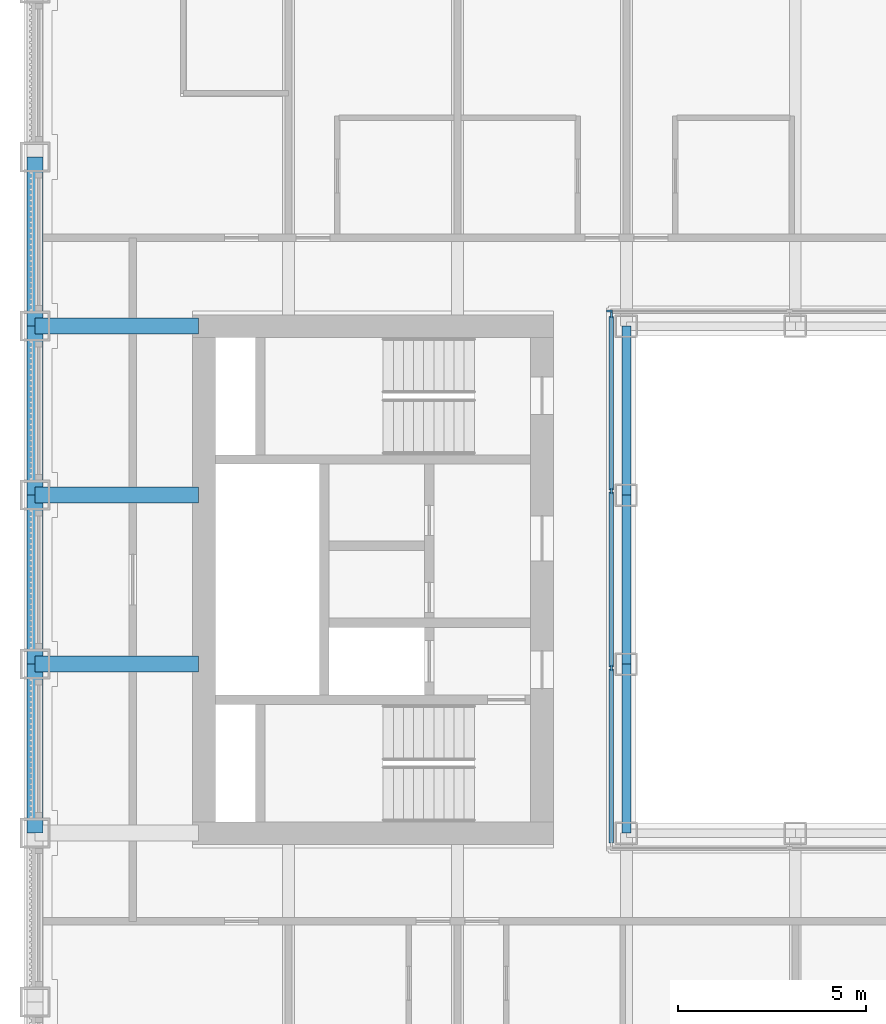
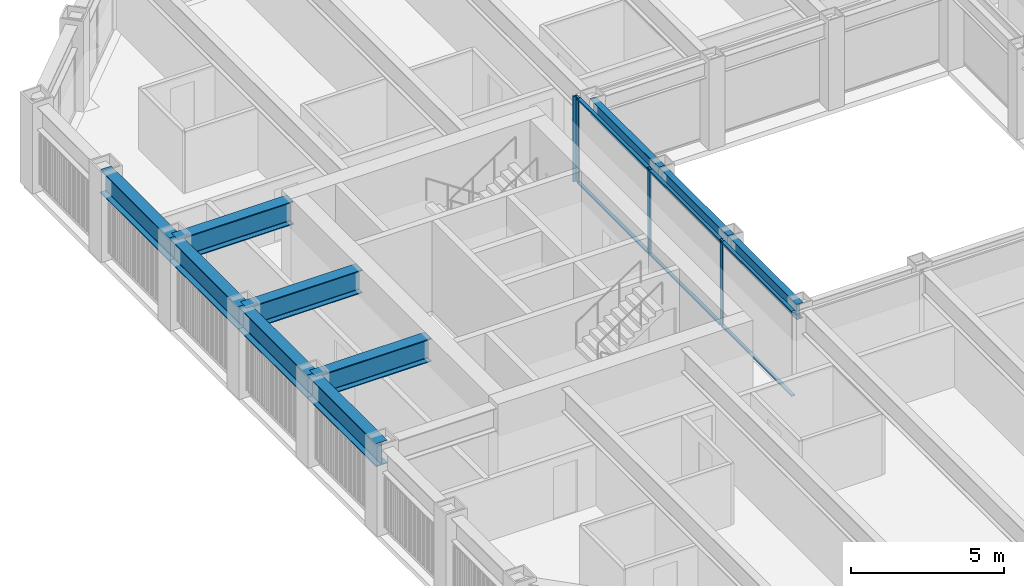
# One storey, part 4 of 17: 10 beams, 10 members, 2 elements without a shape of their own.
"""IFC4 building model written with IfcOpenShell, lengths in metres."""

from ifc_helpers import new_model, si_unit, direction, frame, origin, origin_2d, place, context, subcontext, project, spatial, rectangle, i_section, extrude, material, material_profile, profile_set, type_object, element, aggregate, save


model = new_model("IFC4")

# Units and contexts
model_context = context("Model", 3, precision=1e-05, world=origin(), true_north=direction((0.0, 1.0)))
body_context = subcontext(model_context, "Body", "Model", "MODEL_VIEW")
ifc_project = project(units=[si_unit("LENGTHUNIT", "METRE"), si_unit("AREAUNIT", "SQUARE_METRE"), si_unit("VOLUMEUNIT", "CUBIC_METRE"), si_unit("PLANEANGLEUNIT", "RADIAN"), si_unit("MASSUNIT", "GRAM", prefix="KILO")], contexts=[model_context])

# Site, building, storey
site_placement = place(None, origin())
site = spatial("IfcSite", under=ifc_project, at=site_placement, CompositionType="ELEMENT")
building_placement = place(site_placement, origin())
building = spatial("IfcBuilding", under=site, at=building_placement, Name="Msasa Ring Tower", CompositionType="ELEMENT")
storey_placement = place(building_placement, frame((0.0, 0.0, 129.199951171875)))
storey = spatial("IfcBuildingStorey", under=building, at=storey_placement, Name="L33", CompositionType="ELEMENT", Elevation=129.199951171875)

# Curtain wall, member
ifc_material_1 = material(Name="Aluminium curtain wall with clear glass", Category="aluminium")
curtain_wall_type = type_object("IfcCurtainWallType", Name="CW-W LIGHT WELL CURTAIN WALL", PredefinedType="NOTDEFINED", material=ifc_material_1)
curtain_wall_1_placement = place(storey_placement, origin())
curtain_wall_1 = element("IfcCurtainWall", 1, at=curtain_wall_1_placement, inside=storey, type_object=curtain_wall_type, Name="Light well curtain wall N L33", PredefinedType="NOTDEFINED")
ifc_material_2 = material(Name="Aluminium mullion", Category="aluminium")
ifc_material_profile_1 = material_profile(ifc_material_2, rectangle(XDim=0.06005859375, YDim=0.159912109375, at=origin_2d()), Name="AL 60x160")
ifc_profile_set_1 = profile_set([ifc_material_profile_1], Name="Aluminium mullion")
member_type_1 = type_object("IfcMemberType", Name="CW-W MULLION 60x160", PredefinedType="MULLION", material=ifc_profile_set_1)
member_1_placement = place(storey_placement, frame((-7.199951171875, 7.14990234375, 0.0), z_axis=(0.0, 0.0, 1.0), x_axis=(0.0, 1.0, 0.0)))
member_1 = element("IfcMember", 2, at=member_1_placement, type_object=member_type_1, Name="CW-W mullion 1", PredefinedType="MULLION", context=body_context, shape_type="SweptSolid", body=[
    extrude(rectangle(XDim=0.06005859375, YDim=0.159912109375, at=origin_2d()), origin(), (0.0, 0.0, 1.0), 3.400146484375),
])
aggregate(curtain_wall_1, [member_1])

# Curtain wall, members
curtain_wall_2_placement = place(storey_placement, origin())
curtain_wall_2 = element("IfcCurtainWall", 3, at=curtain_wall_2_placement, inside=storey, type_object=curtain_wall_type, Name="Light well curtain wall W L33", PredefinedType="NOTDEFINED")
member_2_placement = place(storey_placement, frame((-7.14990234375, -2.356689453125, 0.0), z_axis=(0.0, 0.0, 1.0), x_axis=(-1.0, 0.0, 0.0)))
member_2 = element("IfcMember", 4, at=member_2_placement, type_object=member_type_1, Name="CW-W mullion 2", PredefinedType="MULLION", context=body_context, shape_type="SweptSolid", body=[
    extrude(rectangle(XDim=0.06005859375, YDim=0.159912109375, at=origin_2d()), origin(), (0.0, 0.0, 1.0), 3.400146484375),
])
member_3_placement = place(storey_placement, frame((-7.14990234375, 2.356689453125, 0.0), z_axis=(0.0, 0.0, 1.0), x_axis=(-1.0, 0.0, 0.0)))
member_3 = element("IfcMember", 5, at=member_3_placement, type_object=member_type_1, Name="CW-W mullion 3", PredefinedType="MULLION", context=body_context, shape_type="SweptSolid", body=[
    extrude(rectangle(XDim=0.06005859375, YDim=0.159912109375, at=origin_2d()), origin(), (0.0, 0.0, 1.0), 3.400146484375),
])
member_4_placement = place(storey_placement, frame((-7.14990234375, 7.0400390625, 0.0), z_axis=(0.0, 0.0, 1.0), x_axis=(-1.0, 0.0, 0.0)))
member_4 = element("IfcMember", 6, at=member_4_placement, type_object=member_type_1, Name="CW-W mullion 4", PredefinedType="MULLION", context=body_context, shape_type="SweptSolid", body=[
    extrude(rectangle(XDim=0.06005859375, YDim=0.159912109375, at=origin_2d()), origin(), (0.0, 0.0, 1.0), 3.400146484375),
])
ifc_material_3 = material(Name="Aluminium transom", Category="aluminium")
ifc_material_profile_2 = material_profile(ifc_material_3, rectangle(XDim=0.1201171875, YDim=0.06005859375, at=origin_2d()), Name="AL 60x120")
ifc_profile_set_2 = profile_set([ifc_material_profile_2], Name="Aluminium transom")
member_type_2 = type_object("IfcMemberType", Name="CW-W TRANSOM 60x120", PredefinedType="USERDEFINED", material=ifc_profile_set_2)
member_5_placement = place(storey_placement, frame((-7.14990234375, -7.010009765625, 0.030029296875), z_axis=(0.0, 1.0, 0.0), x_axis=(-1.0, 0.0, 0.0)))
member_5 = element("IfcMember", 7, at=member_5_placement, type_object=member_type_2, Name="CW-W transom 1.1", ObjectType="TRANSOM", PredefinedType="USERDEFINED", context=body_context, shape_type="SweptSolid", body=[
    extrude(rectangle(XDim=0.1201171875, YDim=0.06005859375, at=origin_2d()), origin(), (0.0, 0.0, 1.0), 4.623291015625),
])
member_6_placement = place(storey_placement, frame((-7.14990234375, -7.010009765625, 3.3701171875), z_axis=(0.0, 1.0, 0.0), x_axis=(-1.0, 0.0, 0.0)))
member_6 = element("IfcMember", 8, at=member_6_placement, type_object=member_type_2, Name="CW-W transom 1.2", ObjectType="TRANSOM", PredefinedType="USERDEFINED", context=body_context, shape_type="SweptSolid", body=[
    extrude(rectangle(XDim=0.1201171875, YDim=0.06005859375, at=origin_2d()), origin(), (0.0, 0.0, 1.0), 4.623291015625),
])
member_7_placement = place(storey_placement, frame((-7.14990234375, -2.32666015625, 0.030029296875), z_axis=(0.0, 1.0, 0.0), x_axis=(-1.0, 0.0, 0.0)))
member_7 = element("IfcMember", 9, at=member_7_placement, type_object=member_type_2, Name="CW-W transom 2.1", ObjectType="TRANSOM", PredefinedType="USERDEFINED", context=body_context, shape_type="SweptSolid", body=[
    extrude(rectangle(XDim=0.1201171875, YDim=0.06005859375, at=origin_2d()), origin(), (0.0, 0.0, 1.0), 4.6533203125),
])
member_8_placement = place(storey_placement, frame((-7.14990234375, -2.32666015625, 3.3701171875), z_axis=(0.0, 1.0, 0.0), x_axis=(-1.0, 0.0, 0.0)))
member_8 = element("IfcMember", 10, at=member_8_placement, type_object=member_type_2, Name="CW-W transom 2.2", ObjectType="TRANSOM", PredefinedType="USERDEFINED", context=body_context, shape_type="SweptSolid", body=[
    extrude(rectangle(XDim=0.1201171875, YDim=0.06005859375, at=origin_2d()), origin(), (0.0, 0.0, 1.0), 4.6533203125),
])
member_9_placement = place(storey_placement, frame((-7.14990234375, 2.38671875, 0.030029296875), z_axis=(0.0, 1.0, 0.0), x_axis=(-1.0, 0.0, 0.0)))
member_9 = element("IfcMember", 11, at=member_9_placement, type_object=member_type_2, Name="CW-W transom 3.1", ObjectType="TRANSOM", PredefinedType="USERDEFINED", context=body_context, shape_type="SweptSolid", body=[
    extrude(rectangle(XDim=0.1201171875, YDim=0.06005859375, at=origin_2d()), origin(), (0.0, 0.0, 1.0), 4.623291015625),
])
member_10_placement = place(storey_placement, frame((-7.14990234375, 2.38671875, 3.3701171875), z_axis=(0.0, 1.0, 0.0), x_axis=(-1.0, 0.0, 0.0)))
member_10 = element("IfcMember", 12, at=member_10_placement, type_object=member_type_2, Name="CW-W transom 3.2", ObjectType="TRANSOM", PredefinedType="USERDEFINED", context=body_context, shape_type="SweptSolid", body=[
    extrude(rectangle(XDim=0.1201171875, YDim=0.06005859375, at=origin_2d()), origin(), (0.0, 0.0, 1.0), 4.623291015625),
])
aggregate(curtain_wall_2, [member_2, member_3, member_4, member_5, member_6, member_7, member_8, member_9, member_10])

# Beams
ifc_material_4 = material(Name="Steel S355", Category="steel")
ifc_material_profile_3 = material_profile(ifc_material_4, i_section(OverallWidth=0.42041015625, OverallDepth=0.9208984375, WebThickness=0.021484375, FlangeThickness=0.03662109375, FilletRadius=0.024169921875, at=origin_2d()), Name="UB 914x419x388")
ifc_profile_set_3 = profile_set([ifc_material_profile_3], Name="Steel S355")
beam_type_1 = type_object("IfcBeamType", Name="FB2 UB 914x419x388", PredefinedType="BEAM", material=ifc_profile_set_3)
for number, where, z_axis, x_axis, name in (
    (13, (-22.5, -2.25, 2.939453125), (1.0, 0.0, 0.0), (0.0, 1.0, 0.0), "Floor beam W -2.25 under L34"),
    (14, (-22.5, 2.25, 2.939453125), (1.0, 0.0, 0.0), (0.0, 1.0, 0.0), "Floor beam W +2.25 under L34"),
):
    element("IfcBeam", number, at=place(storey_placement, frame(where, z_axis=z_axis, x_axis=x_axis)), inside=storey, type_object=beam_type_1, Name=name, PredefinedType="BEAM", context=body_context, shape_type="SweptSolid", body=[
        extrude(i_section(OverallWidth=0.42041015625, OverallDepth=0.9208984375, WebThickness=0.021484375, FlangeThickness=0.03662109375, FilletRadius=0.024169921875, at=origin_2d()), origin(), (0.0, 0.0, 1.0), 4.35009765625),
    ])
ifc_material_5 = material(Name="Steel S355", Category="steel")
ifc_material_profile_4 = material_profile(ifc_material_5, i_section(OverallWidth=0.42041015625, OverallDepth=0.9208984375, WebThickness=0.021484375, FlangeThickness=0.03662109375, FilletRadius=0.024169921875, at=origin_2d()), Name="UB 914x419x388")
ifc_profile_set_4 = profile_set([ifc_material_profile_4], Name="Steel S355")
beam_type_2 = type_object("IfcBeamType", Name="GB1 UB 914x419x388", PredefinedType="BEAM", material=ifc_profile_set_4)
beam_placement = place(storey_placement, frame((-18.14990234375, 6.75, 2.939453125), z_axis=(-1.0, 0.0, 0.0), x_axis=(0.0, -1.0, 0.0)))
element("IfcBeam", 15, at=beam_placement, inside=storey, type_object=beam_type_2, Name="Girder W +6.75 under L34", PredefinedType="BEAM", context=body_context, shape_type="SweptSolid", body=[
    extrude(i_section(OverallWidth=0.42041015625, OverallDepth=0.9208984375, WebThickness=0.021484375, FlangeThickness=0.03662109375, FilletRadius=0.024169921875, at=origin_2d()), origin(), (0.0, 0.0, 1.0), 4.35009765625),
])
ifc_material_6 = material(Name="Steel S355", Category="steel")
ifc_material_profile_5 = material_profile(ifc_material_6, i_section(OverallWidth=0.230224609375, OverallDepth=0.6171875, WebThickness=0.01318359375, FlangeThickness=0.022216796875, FilletRadius=0.0126953125, at=origin_2d()), Name="UB 610x229x140")
ifc_profile_set_5 = profile_set([ifc_material_profile_5], Name="Steel S355")
beam_type_3 = type_object("IfcBeamType", Name="RB1 UB 610x229x140", PredefinedType="BEAM", material=ifc_profile_set_5)
for number, where, z_axis, x_axis, name in (
    (16, (-6.75, -2.25, 3.091552734375), (0.0, -1.0, 0.0), (1.0, 0.0, 0.0), "Inner ring beam IR-6.75-2.25 under L34"),
    (17, (-6.75, 6.75, 3.091552734375), (0.0, -1.0, 0.0), (1.0, 0.0, 0.0), "Inner ring beam IR-6.75+6.75 under L34"),
    (18, (-6.75, 2.25, 3.091552734375), (0.0, -1.0, 0.0), (1.0, 0.0, 0.0), "Inner ring beam IR-6.75+2.25 under L34"),
):
    element("IfcBeam", number, at=place(storey_placement, frame(where, z_axis=z_axis, x_axis=x_axis)), inside=storey, type_object=beam_type_3, Name=name, PredefinedType="BEAM", context=body_context, shape_type="SweptSolid", body=[
        extrude(i_section(OverallWidth=0.230224609375, OverallDepth=0.6171875, WebThickness=0.01318359375, FlangeThickness=0.022216796875, FilletRadius=0.0126953125, at=origin_2d()), origin(), (0.0, 0.0, 1.0), 4.5),
    ])
ifc_material_7 = material(Name="Steel S355", Category="steel")
ifc_material_profile_6 = material_profile(ifc_material_7, i_section(OverallWidth=0.42041015625, OverallDepth=0.9208984375, WebThickness=0.021484375, FlangeThickness=0.03662109375, FilletRadius=0.024169921875, at=origin_2d()), Name="UB 914x419x388")
ifc_profile_set_6 = profile_set([ifc_material_profile_6], Name="Steel S355")
beam_type_4 = type_object("IfcBeamType", Name="SB1 UB 914x419x388", PredefinedType="SPANDREL", material=ifc_profile_set_6)
for number, where, z_axis, x_axis, name in (
    (19, (-22.5, -2.25, 2.939453125), (0.0, -1.0, 0.0), (1.0, 0.0, 0.0), "Spandrel W-2.25 to W-6.75 under L34"),
    (20, (-22.5, 11.25, 2.939453125), (0.0, -1.0, 0.0), (1.0, 0.0, 0.0), "Spandrel W+11.25 to W+6.75 under L34"),
    (21, (-22.5, 6.75, 2.939453125), (0.0, -1.0, 0.0), (1.0, 0.0, 0.0), "Spandrel W+6.75 to W+2.25 under L34"),
    (22, (-22.5, 2.25, 2.939453125), (0.0, -1.0, 0.0), (1.0, 0.0, 0.0), "Spandrel W+2.25 to W-2.25 under L34"),
):
    element("IfcBeam", number, at=place(storey_placement, frame(where, z_axis=z_axis, x_axis=x_axis)), inside=storey, type_object=beam_type_4, Name=name, PredefinedType="SPANDREL", context=body_context, shape_type="SweptSolid", body=[
        extrude(i_section(OverallWidth=0.42041015625, OverallDepth=0.9208984375, WebThickness=0.021484375, FlangeThickness=0.03662109375, FilletRadius=0.024169921875, at=origin_2d()), origin(), (0.0, 0.0, 1.0), 4.5),
    ])

save(model, "model.ifc")
